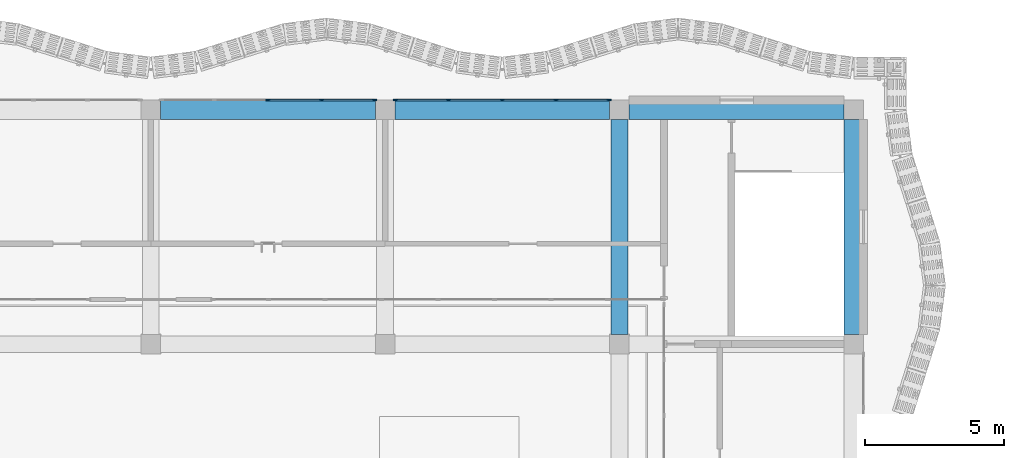
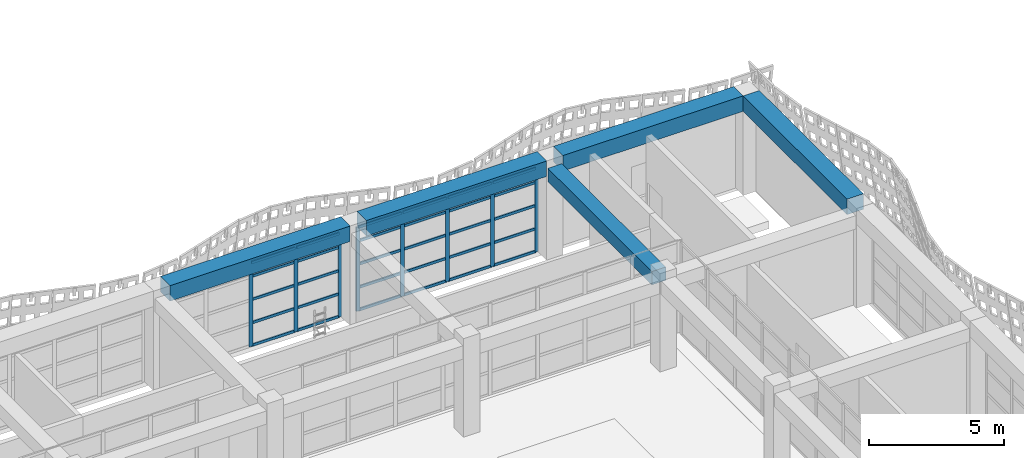
# One storey, part 14 of 85: 38 members, 5 beams, 2 elements without a shape of their own.
"""IFC4 building model written with IfcOpenShell, lengths in metres."""

from ifc_helpers import new_model, si_unit, direction, frame, origin, origin_2d, place, context, subcontext, project, spatial, rectangle, extrude, material, material_profile, profile_set, type_object, element, aggregate, save


model = new_model("IFC4")

# Units and contexts
model_context = context("Model", 3, precision=1e-05, world=origin(), true_north=direction((0.0, 1.0)))
body_context = subcontext(model_context, "Body", "Model", "MODEL_VIEW")
ifc_project = project(units=[si_unit("LENGTHUNIT", "METRE"), si_unit("AREAUNIT", "SQUARE_METRE"), si_unit("VOLUMEUNIT", "CUBIC_METRE"), si_unit("PLANEANGLEUNIT", "RADIAN"), si_unit("MASSUNIT", "GRAM", prefix="KILO")], contexts=[model_context])

# Site, building, storey
site_placement = place(None, origin())
site = spatial("IfcSite", under=ifc_project, at=site_placement, CompositionType="ELEMENT")
building_placement = place(site_placement, origin())
building = spatial("IfcBuilding", under=site, at=building_placement, Name="Rain Tree Exposition and Congress Centre", CompositionType="ELEMENT")
storey_placement = place(building_placement, frame((0.0, 0.0, 15.0)))
storey = spatial("IfcBuildingStorey", under=building, at=storey_placement, Name="L03", CompositionType="ELEMENT", Elevation=15.0)

# Beams
ifc_material_1 = material(Name="Precast concrete C50/60", Category="concrete")
ifc_material_profile_1 = material_profile(ifc_material_1, rectangle(XDim=0.60009765625, YDim=0.60009765625, at=origin_2d()), Name="RC 600x600")
ifc_profile_set_1 = profile_set([ifc_material_profile_1], Name="Precast concrete C50/60")
beam_type_1 = type_object("IfcBeamType", Name="Precast beam 600x600", PredefinedType="BEAM", material=ifc_profile_set_1)
beam_placement = place(storey_placement, frame((42.0, 42.35009765625, 3.85009765625), z_axis=(0.0, 1.0, 0.0), x_axis=(-1.0, 0.0, 0.0)))
element("IfcBeam", 1, at=beam_placement, inside=storey, type_object=beam_type_1, Name="wing/beam/L03/RF/060", PredefinedType="BEAM", context=body_context, shape_type="SweptSolid", body=[
    extrude(rectangle(XDim=0.60009765625, YDim=0.60009765625, at=origin_2d()), origin(), (0.0, 0.0, 1.0), 7.699951171875),
])
ifc_material_2 = material(Name="Precast concrete C50/60", Category="concrete")
ifc_material_profile_2 = material_profile(ifc_material_2, rectangle(XDim=0.699951171875, YDim=0.699951171875, at=origin_2d()), Name="RC 700x700")
ifc_profile_set_2 = profile_set([ifc_material_profile_2], Name="Precast concrete C50/60")
beam_type_2 = type_object("IfcBeamType", Name="Precast spandrel beam 700x700", PredefinedType="SPANDREL", material=ifc_profile_set_2)
for number, where, z_axis, x_axis, name in (
    (2, (25.550048828125, 50.39990234375, 4.14990234375), (1.0, 0.0, 0.0), (0.0, 1.0, 0.0), "wing/beam/L03/RF/067"),
    (3, (33.949951171875, 50.39990234375, 4.14990234375), (1.0, 0.0, 0.0), (0.0, 1.0, 0.0), "wing/beam/L03/RF/069"),
    (4, (42.35009765625, 50.39990234375, 4.14990234375), (1.0, 0.0, 0.0), (0.0, 1.0, 0.0), "wing/beam/L03/RF/071"),
    (5, (50.39990234375, 42.35009765625, 4.14990234375), (0.0, 1.0, 0.0), (-1.0, 0.0, 0.0), "wing/beam/L03/RF/072"),
):
    element("IfcBeam", number, at=place(storey_placement, frame(where, z_axis=z_axis, x_axis=x_axis)), inside=storey, type_object=beam_type_2, Name=name, PredefinedType="SPANDREL", context=body_context, shape_type="SweptSolid", body=[
        extrude(rectangle(XDim=0.699951171875, YDim=0.699951171875, at=origin_2d()), origin(), (0.0, 0.0, 1.0), 7.699951171875),
    ])

# Curtain wall, members
ifc_material_3 = material(Name="Aluminium curtain wall", Category="aluminium")
curtain_wall_type = type_object("IfcCurtainWallType", Name="Wing curtain wall 1925", PredefinedType="NOTDEFINED", material=ifc_material_3)
curtain_wall_1_placement = place(storey_placement, origin())
curtain_wall_1 = element("IfcCurtainWall", 6, at=curtain_wall_1_placement, inside=storey, type_object=curtain_wall_type, Name="Curtain wall CWW406", PredefinedType="NOTDEFINED")
ifc_material_4 = material(Name="Aluminium", Category="aluminium")
ifc_material_profile_3 = material_profile(ifc_material_4, rectangle(XDim=0.06005859375, YDim=0.159912109375, at=origin_2d()), Name="Aluminium 60x160")
ifc_profile_set_3 = profile_set([ifc_material_profile_3], Name="Aluminium")
member_type_1 = type_object("IfcMemberType", Name="Wing mullion 60x160", PredefinedType="MULLION", material=ifc_profile_set_3)
member_1_placement = place(storey_placement, frame((29.39990234375, 50.75, 0.0), z_axis=(0.0, 0.0, 1.0), x_axis=(0.0, 1.0, 0.0)))
member_1 = element("IfcMember", 7, at=member_1_placement, type_object=member_type_1, Name="CWW406 mullion 3", PredefinedType="MULLION", context=body_context, shape_type="SweptSolid", body=[
    extrude(rectangle(XDim=0.06005859375, YDim=0.159912109375, at=origin_2d()), origin(), (0.0, 0.0, 1.0), 3.800048828125),
])
member_2_placement = place(storey_placement, frame((31.324951171875, 50.75, 0.0), z_axis=(0.0, 0.0, 1.0), x_axis=(0.0, 1.0, 0.0)))
member_2 = element("IfcMember", 8, at=member_2_placement, type_object=member_type_1, Name="CWW406 mullion 4", PredefinedType="MULLION", context=body_context, shape_type="SweptSolid", body=[
    extrude(rectangle(XDim=0.06005859375, YDim=0.159912109375, at=origin_2d()), origin(), (0.0, 0.0, 1.0), 3.800048828125),
])
member_3_placement = place(storey_placement, frame((33.219970703125, 50.75, 0.0), z_axis=(0.0, 0.0, 1.0), x_axis=(0.0, 1.0, 0.0)))
member_3 = element("IfcMember", 9, at=member_3_placement, type_object=member_type_1, Name="CWW406 mullion 5", PredefinedType="MULLION", context=body_context, shape_type="SweptSolid", body=[
    extrude(rectangle(XDim=0.06005859375, YDim=0.159912109375, at=origin_2d()), origin(), (0.0, 0.0, 1.0), 3.800048828125),
])

curtain_wall_2_placement = place(storey_placement, origin())
curtain_wall_2 = element("IfcCurtainWall", 10, at=curtain_wall_2_placement, inside=storey, type_object=curtain_wall_type, Name="Curtain wall CWW407", PredefinedType="NOTDEFINED")
member_4_placement = place(storey_placement, frame((33.97998046875, 50.75, 0.0), z_axis=(0.0, 0.0, 1.0), x_axis=(0.0, 1.0, 0.0)))
member_4 = element("IfcMember", 11, at=member_4_placement, type_object=member_type_1, Name="CWW407 mullion 1", PredefinedType="MULLION", context=body_context, shape_type="SweptSolid", body=[
    extrude(rectangle(XDim=0.06005859375, YDim=0.159912109375, at=origin_2d()), origin(), (0.0, 0.0, 1.0), 3.800048828125),
])
member_5_placement = place(storey_placement, frame((35.875, 50.75, 0.0), z_axis=(0.0, 0.0, 1.0), x_axis=(0.0, 1.0, 0.0)))
member_5 = element("IfcMember", 12, at=member_5_placement, type_object=member_type_1, Name="CWW407 mullion 2", PredefinedType="MULLION", context=body_context, shape_type="SweptSolid", body=[
    extrude(rectangle(XDim=0.06005859375, YDim=0.159912109375, at=origin_2d()), origin(), (0.0, 0.0, 1.0), 3.800048828125),
])
member_6_placement = place(storey_placement, frame((37.800048828125, 50.75, 0.0), z_axis=(0.0, 0.0, 1.0), x_axis=(0.0, 1.0, 0.0)))
member_6 = element("IfcMember", 13, at=member_6_placement, type_object=member_type_1, Name="CWW407 mullion 3", PredefinedType="MULLION", context=body_context, shape_type="SweptSolid", body=[
    extrude(rectangle(XDim=0.06005859375, YDim=0.159912109375, at=origin_2d()), origin(), (0.0, 0.0, 1.0), 3.800048828125),
])
member_7_placement = place(storey_placement, frame((39.72509765625, 50.75, 0.0), z_axis=(0.0, 0.0, 1.0), x_axis=(0.0, 1.0, 0.0)))
member_7 = element("IfcMember", 14, at=member_7_placement, type_object=member_type_1, Name="CWW407 mullion 4", PredefinedType="MULLION", context=body_context, shape_type="SweptSolid", body=[
    extrude(rectangle(XDim=0.06005859375, YDim=0.159912109375, at=origin_2d()), origin(), (0.0, 0.0, 1.0), 3.800048828125),
])
member_8_placement = place(storey_placement, frame((41.6201171875, 50.75, 0.0), z_axis=(0.0, 0.0, 1.0), x_axis=(0.0, 1.0, 0.0)))
member_8 = element("IfcMember", 15, at=member_8_placement, type_object=member_type_1, Name="CWW407 mullion 5", PredefinedType="MULLION", context=body_context, shape_type="SweptSolid", body=[
    extrude(rectangle(XDim=0.06005859375, YDim=0.159912109375, at=origin_2d()), origin(), (0.0, 0.0, 1.0), 3.800048828125),
])

# Member
ifc_material_5 = material(Name="Aluminium", Category="aluminium")
ifc_material_profile_4 = material_profile(ifc_material_5, rectangle(XDim=0.06005859375, YDim=0.1201171875, at=origin_2d()), Name="Aluminium 60x120")
ifc_profile_set_4 = profile_set([ifc_material_profile_4], Name="Aluminium")
member_type_2 = type_object("IfcMemberType", Name="Wing transom 60x120", PredefinedType="USERDEFINED", material=ifc_profile_set_4)
member_9_placement = place(storey_placement, frame((29.429931640625, 50.75, 0.030029296875), z_axis=(1.0, 0.0, 0.0), x_axis=(0.0, 1.0, 0.0)))
member_9 = element("IfcMember", 16, at=member_9_placement, type_object=member_type_2, Name="CWW406 transom 3.1", ObjectType="TRANSOM", PredefinedType="USERDEFINED", context=body_context, shape_type="SweptSolid", body=[
    extrude(rectangle(XDim=0.06005859375, YDim=0.1201171875, at=origin_2d()), origin(), (0.0, 0.0, 1.0), 1.864990234375),
])

member_10_placement = place(storey_placement, frame((29.429931640625, 50.75, 1.050048828125), z_axis=(1.0, 0.0, 0.0), x_axis=(0.0, 1.0, 0.0)))
member_10 = element("IfcMember", 17, at=member_10_placement, type_object=member_type_2, Name="CWW406 transom 3.2", ObjectType="TRANSOM", PredefinedType="USERDEFINED", context=body_context, shape_type="SweptSolid", body=[
    extrude(rectangle(XDim=0.06005859375, YDim=0.1201171875, at=origin_2d()), origin(), (0.0, 0.0, 1.0), 1.864990234375),
])

member_11_placement = place(storey_placement, frame((29.429931640625, 50.75, 2.10009765625), z_axis=(1.0, 0.0, 0.0), x_axis=(0.0, 1.0, 0.0)))
member_11 = element("IfcMember", 18, at=member_11_placement, type_object=member_type_2, Name="CWW406 transom 3.3", ObjectType="TRANSOM", PredefinedType="USERDEFINED", context=body_context, shape_type="SweptSolid", body=[
    extrude(rectangle(XDim=0.06005859375, YDim=0.1201171875, at=origin_2d()), origin(), (0.0, 0.0, 1.0), 1.864990234375),
])

member_12_placement = place(storey_placement, frame((29.429931640625, 50.75, 3.14990234375), z_axis=(1.0, 0.0, 0.0), x_axis=(0.0, 1.0, 0.0)))
member_12 = element("IfcMember", 19, at=member_12_placement, type_object=member_type_2, Name="CWW406 transom 3.4", ObjectType="TRANSOM", PredefinedType="USERDEFINED", context=body_context, shape_type="SweptSolid", body=[
    extrude(rectangle(XDim=0.06005859375, YDim=0.1201171875, at=origin_2d()), origin(), (0.0, 0.0, 1.0), 1.864990234375),
])

member_13_placement = place(storey_placement, frame((29.429931640625, 50.75, 3.77001953125), z_axis=(1.0, 0.0, 0.0), x_axis=(0.0, 1.0, 0.0)))
member_13 = element("IfcMember", 20, at=member_13_placement, type_object=member_type_2, Name="CWW406 transom 3.5", ObjectType="TRANSOM", PredefinedType="USERDEFINED", context=body_context, shape_type="SweptSolid", body=[
    extrude(rectangle(XDim=0.06005859375, YDim=0.1201171875, at=origin_2d()), origin(), (0.0, 0.0, 1.0), 1.864990234375),
])

member_14_placement = place(storey_placement, frame((31.35498046875, 50.75, 0.030029296875), z_axis=(1.0, 0.0, 0.0), x_axis=(0.0, 1.0, 0.0)))
member_14 = element("IfcMember", 21, at=member_14_placement, type_object=member_type_2, Name="CWW406 transom 4.1", ObjectType="TRANSOM", PredefinedType="USERDEFINED", context=body_context, shape_type="SweptSolid", body=[
    extrude(rectangle(XDim=0.06005859375, YDim=0.1201171875, at=origin_2d()), origin(), (0.0, 0.0, 1.0), 1.8349609375),
])

member_15_placement = place(storey_placement, frame((31.35498046875, 50.75, 1.050048828125), z_axis=(1.0, 0.0, 0.0), x_axis=(0.0, 1.0, 0.0)))
member_15 = element("IfcMember", 22, at=member_15_placement, type_object=member_type_2, Name="CWW406 transom 4.2", ObjectType="TRANSOM", PredefinedType="USERDEFINED", context=body_context, shape_type="SweptSolid", body=[
    extrude(rectangle(XDim=0.06005859375, YDim=0.1201171875, at=origin_2d()), origin(), (0.0, 0.0, 1.0), 1.8349609375),
])

member_16_placement = place(storey_placement, frame((31.35498046875, 50.75, 2.10009765625), z_axis=(1.0, 0.0, 0.0), x_axis=(0.0, 1.0, 0.0)))
member_16 = element("IfcMember", 23, at=member_16_placement, type_object=member_type_2, Name="CWW406 transom 4.3", ObjectType="TRANSOM", PredefinedType="USERDEFINED", context=body_context, shape_type="SweptSolid", body=[
    extrude(rectangle(XDim=0.06005859375, YDim=0.1201171875, at=origin_2d()), origin(), (0.0, 0.0, 1.0), 1.8349609375),
])

member_17_placement = place(storey_placement, frame((31.35498046875, 50.75, 3.14990234375), z_axis=(1.0, 0.0, 0.0), x_axis=(0.0, 1.0, 0.0)))
member_17 = element("IfcMember", 24, at=member_17_placement, type_object=member_type_2, Name="CWW406 transom 4.4", ObjectType="TRANSOM", PredefinedType="USERDEFINED", context=body_context, shape_type="SweptSolid", body=[
    extrude(rectangle(XDim=0.06005859375, YDim=0.1201171875, at=origin_2d()), origin(), (0.0, 0.0, 1.0), 1.8349609375),
])

member_18_placement = place(storey_placement, frame((31.35498046875, 50.75, 3.77001953125), z_axis=(1.0, 0.0, 0.0), x_axis=(0.0, 1.0, 0.0)))
member_18 = element("IfcMember", 25, at=member_18_placement, type_object=member_type_2, Name="CWW406 transom 4.5", ObjectType="TRANSOM", PredefinedType="USERDEFINED", context=body_context, shape_type="SweptSolid", body=[
    extrude(rectangle(XDim=0.06005859375, YDim=0.1201171875, at=origin_2d()), origin(), (0.0, 0.0, 1.0), 1.8349609375),
])

aggregate(curtain_wall_1, [member_1, member_2, member_3, member_9, member_10, member_11, member_12, member_13, member_14, member_15, member_16, member_17, member_18])

member_19_placement = place(storey_placement, frame((34.010009765625, 50.75, 0.030029296875), z_axis=(1.0, 0.0, 0.0), x_axis=(0.0, 1.0, 0.0)))
member_19 = element("IfcMember", 26, at=member_19_placement, type_object=member_type_2, Name="CWW407 transom 1.1", ObjectType="TRANSOM", PredefinedType="USERDEFINED", context=body_context, shape_type="SweptSolid", body=[
    extrude(rectangle(XDim=0.06005859375, YDim=0.1201171875, at=origin_2d()), origin(), (0.0, 0.0, 1.0), 1.8349609375),
])

member_20_placement = place(storey_placement, frame((34.010009765625, 50.75, 1.050048828125), z_axis=(1.0, 0.0, 0.0), x_axis=(0.0, 1.0, 0.0)))
member_20 = element("IfcMember", 27, at=member_20_placement, type_object=member_type_2, Name="CWW407 transom 1.2", ObjectType="TRANSOM", PredefinedType="USERDEFINED", context=body_context, shape_type="SweptSolid", body=[
    extrude(rectangle(XDim=0.06005859375, YDim=0.1201171875, at=origin_2d()), origin(), (0.0, 0.0, 1.0), 1.8349609375),
])

member_21_placement = place(storey_placement, frame((34.010009765625, 50.75, 2.10009765625), z_axis=(1.0, 0.0, 0.0), x_axis=(0.0, 1.0, 0.0)))
member_21 = element("IfcMember", 28, at=member_21_placement, type_object=member_type_2, Name="CWW407 transom 1.3", ObjectType="TRANSOM", PredefinedType="USERDEFINED", context=body_context, shape_type="SweptSolid", body=[
    extrude(rectangle(XDim=0.06005859375, YDim=0.1201171875, at=origin_2d()), origin(), (0.0, 0.0, 1.0), 1.8349609375),
])

member_22_placement = place(storey_placement, frame((34.010009765625, 50.75, 3.14990234375), z_axis=(1.0, 0.0, 0.0), x_axis=(0.0, 1.0, 0.0)))
member_22 = element("IfcMember", 29, at=member_22_placement, type_object=member_type_2, Name="CWW407 transom 1.4", ObjectType="TRANSOM", PredefinedType="USERDEFINED", context=body_context, shape_type="SweptSolid", body=[
    extrude(rectangle(XDim=0.06005859375, YDim=0.1201171875, at=origin_2d()), origin(), (0.0, 0.0, 1.0), 1.8349609375),
])

member_23_placement = place(storey_placement, frame((34.010009765625, 50.75, 3.77001953125), z_axis=(1.0, 0.0, 0.0), x_axis=(0.0, 1.0, 0.0)))
member_23 = element("IfcMember", 30, at=member_23_placement, type_object=member_type_2, Name="CWW407 transom 1.5", ObjectType="TRANSOM", PredefinedType="USERDEFINED", context=body_context, shape_type="SweptSolid", body=[
    extrude(rectangle(XDim=0.06005859375, YDim=0.1201171875, at=origin_2d()), origin(), (0.0, 0.0, 1.0), 1.8349609375),
])

member_24_placement = place(storey_placement, frame((35.905029296875, 50.75, 0.030029296875), z_axis=(1.0, 0.0, 0.0), x_axis=(0.0, 1.0, 0.0)))
member_24 = element("IfcMember", 31, at=member_24_placement, type_object=member_type_2, Name="CWW407 transom 2.1", ObjectType="TRANSOM", PredefinedType="USERDEFINED", context=body_context, shape_type="SweptSolid", body=[
    extrude(rectangle(XDim=0.06005859375, YDim=0.1201171875, at=origin_2d()), origin(), (0.0, 0.0, 1.0), 1.864990234375),
])

member_25_placement = place(storey_placement, frame((35.905029296875, 50.75, 1.050048828125), z_axis=(1.0, 0.0, 0.0), x_axis=(0.0, 1.0, 0.0)))
member_25 = element("IfcMember", 32, at=member_25_placement, type_object=member_type_2, Name="CWW407 transom 2.2", ObjectType="TRANSOM", PredefinedType="USERDEFINED", context=body_context, shape_type="SweptSolid", body=[
    extrude(rectangle(XDim=0.06005859375, YDim=0.1201171875, at=origin_2d()), origin(), (0.0, 0.0, 1.0), 1.864990234375),
])

member_26_placement = place(storey_placement, frame((35.905029296875, 50.75, 2.10009765625), z_axis=(1.0, 0.0, 0.0), x_axis=(0.0, 1.0, 0.0)))
member_26 = element("IfcMember", 33, at=member_26_placement, type_object=member_type_2, Name="CWW407 transom 2.3", ObjectType="TRANSOM", PredefinedType="USERDEFINED", context=body_context, shape_type="SweptSolid", body=[
    extrude(rectangle(XDim=0.06005859375, YDim=0.1201171875, at=origin_2d()), origin(), (0.0, 0.0, 1.0), 1.864990234375),
])

member_27_placement = place(storey_placement, frame((35.905029296875, 50.75, 3.14990234375), z_axis=(1.0, 0.0, 0.0), x_axis=(0.0, 1.0, 0.0)))
member_27 = element("IfcMember", 34, at=member_27_placement, type_object=member_type_2, Name="CWW407 transom 2.4", ObjectType="TRANSOM", PredefinedType="USERDEFINED", context=body_context, shape_type="SweptSolid", body=[
    extrude(rectangle(XDim=0.06005859375, YDim=0.1201171875, at=origin_2d()), origin(), (0.0, 0.0, 1.0), 1.864990234375),
])

member_28_placement = place(storey_placement, frame((35.905029296875, 50.75, 3.77001953125), z_axis=(1.0, 0.0, 0.0), x_axis=(0.0, 1.0, 0.0)))
member_28 = element("IfcMember", 35, at=member_28_placement, type_object=member_type_2, Name="CWW407 transom 2.5", ObjectType="TRANSOM", PredefinedType="USERDEFINED", context=body_context, shape_type="SweptSolid", body=[
    extrude(rectangle(XDim=0.06005859375, YDim=0.1201171875, at=origin_2d()), origin(), (0.0, 0.0, 1.0), 1.864990234375),
])

member_29_placement = place(storey_placement, frame((37.830078125, 50.75, 0.030029296875), z_axis=(1.0, 0.0, 0.0), x_axis=(0.0, 1.0, 0.0)))
member_29 = element("IfcMember", 36, at=member_29_placement, type_object=member_type_2, Name="CWW407 transom 3.1", ObjectType="TRANSOM", PredefinedType="USERDEFINED", context=body_context, shape_type="SweptSolid", body=[
    extrude(rectangle(XDim=0.06005859375, YDim=0.1201171875, at=origin_2d()), origin(), (0.0, 0.0, 1.0), 1.864990234375),
])

member_30_placement = place(storey_placement, frame((37.830078125, 50.75, 1.050048828125), z_axis=(1.0, 0.0, 0.0), x_axis=(0.0, 1.0, 0.0)))
member_30 = element("IfcMember", 37, at=member_30_placement, type_object=member_type_2, Name="CWW407 transom 3.2", ObjectType="TRANSOM", PredefinedType="USERDEFINED", context=body_context, shape_type="SweptSolid", body=[
    extrude(rectangle(XDim=0.06005859375, YDim=0.1201171875, at=origin_2d()), origin(), (0.0, 0.0, 1.0), 1.864990234375),
])

member_31_placement = place(storey_placement, frame((37.830078125, 50.75, 2.10009765625), z_axis=(1.0, 0.0, 0.0), x_axis=(0.0, 1.0, 0.0)))
member_31 = element("IfcMember", 38, at=member_31_placement, type_object=member_type_2, Name="CWW407 transom 3.3", ObjectType="TRANSOM", PredefinedType="USERDEFINED", context=body_context, shape_type="SweptSolid", body=[
    extrude(rectangle(XDim=0.06005859375, YDim=0.1201171875, at=origin_2d()), origin(), (0.0, 0.0, 1.0), 1.864990234375),
])

member_32_placement = place(storey_placement, frame((37.830078125, 50.75, 3.14990234375), z_axis=(1.0, 0.0, 0.0), x_axis=(0.0, 1.0, 0.0)))
member_32 = element("IfcMember", 39, at=member_32_placement, type_object=member_type_2, Name="CWW407 transom 3.4", ObjectType="TRANSOM", PredefinedType="USERDEFINED", context=body_context, shape_type="SweptSolid", body=[
    extrude(rectangle(XDim=0.06005859375, YDim=0.1201171875, at=origin_2d()), origin(), (0.0, 0.0, 1.0), 1.864990234375),
])

member_33_placement = place(storey_placement, frame((37.830078125, 50.75, 3.77001953125), z_axis=(1.0, 0.0, 0.0), x_axis=(0.0, 1.0, 0.0)))
member_33 = element("IfcMember", 40, at=member_33_placement, type_object=member_type_2, Name="CWW407 transom 3.5", ObjectType="TRANSOM", PredefinedType="USERDEFINED", context=body_context, shape_type="SweptSolid", body=[
    extrude(rectangle(XDim=0.06005859375, YDim=0.1201171875, at=origin_2d()), origin(), (0.0, 0.0, 1.0), 1.864990234375),
])

member_34_placement = place(storey_placement, frame((39.7548828125, 50.75, 0.030029296875), z_axis=(1.0, 0.0, 0.0), x_axis=(0.0, 1.0, 0.0)))
member_34 = element("IfcMember", 41, at=member_34_placement, type_object=member_type_2, Name="CWW407 transom 4.1", ObjectType="TRANSOM", PredefinedType="USERDEFINED", context=body_context, shape_type="SweptSolid", body=[
    extrude(rectangle(XDim=0.06005859375, YDim=0.1201171875, at=origin_2d()), origin(), (0.0, 0.0, 1.0), 1.835205078125),
])

member_35_placement = place(storey_placement, frame((39.7548828125, 50.75, 1.050048828125), z_axis=(1.0, 0.0, 0.0), x_axis=(0.0, 1.0, 0.0)))
member_35 = element("IfcMember", 42, at=member_35_placement, type_object=member_type_2, Name="CWW407 transom 4.2", ObjectType="TRANSOM", PredefinedType="USERDEFINED", context=body_context, shape_type="SweptSolid", body=[
    extrude(rectangle(XDim=0.06005859375, YDim=0.1201171875, at=origin_2d()), origin(), (0.0, 0.0, 1.0), 1.835205078125),
])

member_36_placement = place(storey_placement, frame((39.7548828125, 50.75, 2.10009765625), z_axis=(1.0, 0.0, 0.0), x_axis=(0.0, 1.0, 0.0)))
member_36 = element("IfcMember", 43, at=member_36_placement, type_object=member_type_2, Name="CWW407 transom 4.3", ObjectType="TRANSOM", PredefinedType="USERDEFINED", context=body_context, shape_type="SweptSolid", body=[
    extrude(rectangle(XDim=0.06005859375, YDim=0.1201171875, at=origin_2d()), origin(), (0.0, 0.0, 1.0), 1.835205078125),
])

member_37_placement = place(storey_placement, frame((39.7548828125, 50.75, 3.14990234375), z_axis=(1.0, 0.0, 0.0), x_axis=(0.0, 1.0, 0.0)))
member_37 = element("IfcMember", 44, at=member_37_placement, type_object=member_type_2, Name="CWW407 transom 4.4", ObjectType="TRANSOM", PredefinedType="USERDEFINED", context=body_context, shape_type="SweptSolid", body=[
    extrude(rectangle(XDim=0.06005859375, YDim=0.1201171875, at=origin_2d()), origin(), (0.0, 0.0, 1.0), 1.835205078125),
])

member_38_placement = place(storey_placement, frame((39.7548828125, 50.75, 3.77001953125), z_axis=(1.0, 0.0, 0.0), x_axis=(0.0, 1.0, 0.0)))
member_38 = element("IfcMember", 45, at=member_38_placement, type_object=member_type_2, Name="CWW407 transom 4.5", ObjectType="TRANSOM", PredefinedType="USERDEFINED", context=body_context, shape_type="SweptSolid", body=[
    extrude(rectangle(XDim=0.06005859375, YDim=0.1201171875, at=origin_2d()), origin(), (0.0, 0.0, 1.0), 1.835205078125),
])

aggregate(curtain_wall_2, [member_4, member_5, member_6, member_7, member_8, member_19, member_20, member_21, member_22, member_23, member_24, member_25, member_26, member_27, member_28, member_29, member_30, member_31, member_32, member_33, member_34, member_35, member_36, member_37, member_38])

save(model, "model.ifc")
